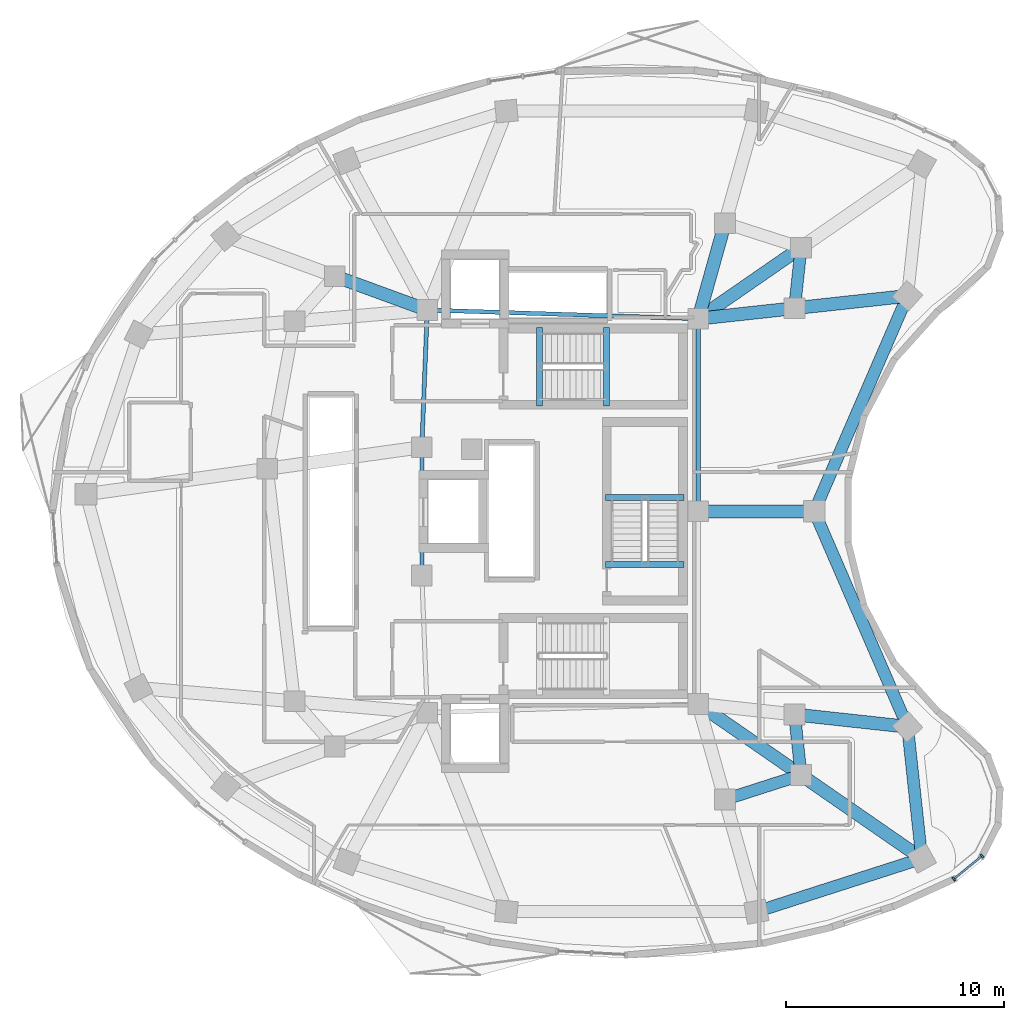
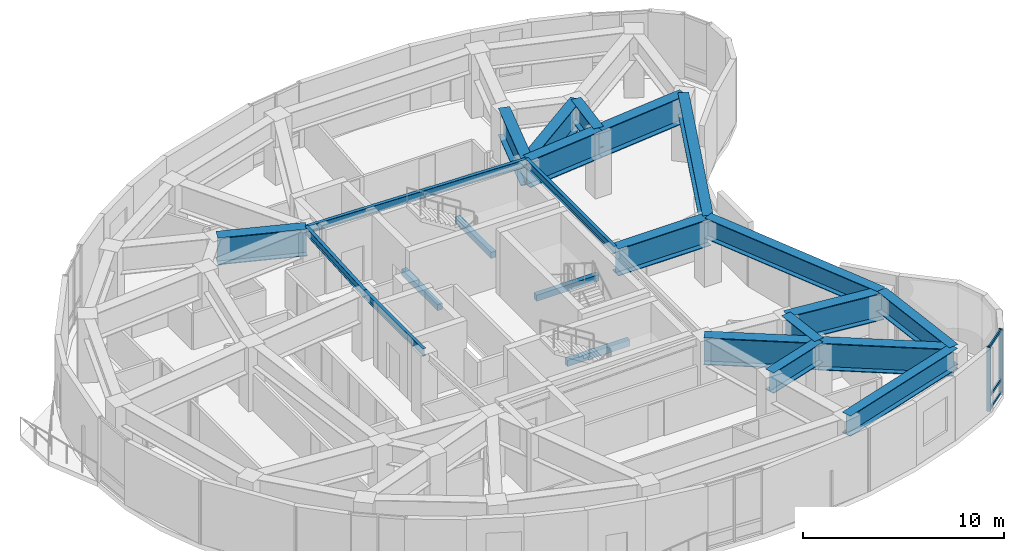
# One storey, part 3 of 12: 24 beams, 5 members, 1 element without a shape of its own.
"""IFC4 building model written with IfcOpenShell, lengths in metres."""

from ifc_helpers import new_model, si_unit, direction, frame, origin, origin_2d, place, context, subcontext, project, spatial, rectangle, i_section, extrude, material, layer, layer_set, material_profile, profile_set, type_object, element, aggregate, save


model = new_model("IFC4")

# Units and contexts
model_context = context("Model", 3, precision=1e-05, world=origin(), true_north=direction((0.0, 1.0)))
body_context = subcontext(model_context, "Body", "Model", "MODEL_VIEW")
ifc_project = project(units=[si_unit("LENGTHUNIT", "METRE"), si_unit("AREAUNIT", "SQUARE_METRE"), si_unit("VOLUMEUNIT", "CUBIC_METRE"), si_unit("PLANEANGLEUNIT", "RADIAN"), si_unit("MASSUNIT", "GRAM", prefix="KILO")], contexts=[model_context])

# Site, building, storey
site_placement = place(None, origin())
site = spatial("IfcSite", under=ifc_project, at=site_placement, CompositionType="ELEMENT")
building_placement = place(site_placement, origin())
building = spatial("IfcBuilding", under=site, at=building_placement, Name="Korentha Bioscience Tower", CompositionType="ELEMENT")
storey_placement = place(building_placement, frame((0.0, 0.0, 196.199951171875)))
storey = spatial("IfcBuildingStorey", under=building, at=storey_placement, Name="L45", CompositionType="ELEMENT", Elevation=196.199951171875)

# Beams
ifc_material_1 = material(Name="Concrete C50", Category="concrete")
ifc_material_profile_1 = material_profile(ifc_material_1, rectangle(XDim=0.280029296875, YDim=0.3798828125, at=origin_2d()), Name="Concrete C50")
ifc_profile_set_1 = profile_set([ifc_material_profile_1], Name="Concrete C50 (ST-HB380)")
beam_type_1 = type_object("IfcBeamType", Name="Concrete Stair Header Beam RC 280x380", PredefinedType="BEAM", material=ifc_profile_set_1)
for number, where, z_axis, x_axis, name in (
    (1, (30.25, 31.85009765625, -0.18994140625), (0.0, 1.0, 0.0), (-1.0, 0.0, 0.0), "L45 ST-1 Concrete Stair Header Beam"),
    (2, (33.330078125, 31.85009765625, 1.91015625), (0.0, 1.0, 0.0), (-1.0, 0.0, 0.0), "L45 ST-1 Half-Landing Header Beam 1"),
    (3, (36.89990234375, 24.550048828125, -0.18994140625), (-1.0, 0.0, 0.0), (0.0, -1.0, 0.0), "L45 ST-3 Concrete Stair Header Beam"),
    (4, (36.89990234375, 27.6298828125, 1.91015625), (-1.0, 0.0, 0.0), (0.0, -1.0, 0.0), "L45 ST-3 Half-Landing Header Beam 1"),
):
    element("IfcBeam", number, at=place(storey_placement, frame(where, z_axis=z_axis, x_axis=x_axis)), inside=storey, type_object=beam_type_1, Name=name, PredefinedType="BEAM", context=body_context, shape_type="SweptSolid", body=[
        extrude(rectangle(XDim=0.280029296875, YDim=0.3798828125, at=origin_2d()), origin(), (0.0, 0.0, 1.0), 3.599853515625),
    ])
ifc_material_2 = material(Name="Steel S355", Category="steel")
ifc_material_profile_2 = material_profile(ifc_material_2, i_section(OverallWidth=0.550048828125, OverallDepth=1.25, WebThickness=0.02392578125, FlangeThickness=0.0400390625, at=origin_2d()), Name="Steel S355")
ifc_profile_set_2 = profile_set([ifc_material_profile_2], Name="Steel S355 (TG-03)")
beam_type_2 = type_object("IfcBeamType", Name="Crown Step Transfer Girder CVS 1250x510", PredefinedType="USERDEFINED", material=ifc_profile_set_2)
beam_1_placement = place(storey_placement, frame((38.77880859375, 13.7587890625, 3.275146484375), z_axis=(0.952000195343, 0.306097415976, 0.0), x_axis=(-0.306097415976, 0.952000195343, 0.0)))
element("IfcBeam", 5, at=beam_1_placement, inside=storey, type_object=beam_type_2, Name="L45 Mid-Ring Tie Girder 12", ObjectType="TRANSFER_GIRDER", PredefinedType="USERDEFINED", context=body_context, shape_type="SweptSolid", body=[
    extrude(i_section(OverallWidth=0.550048828125, OverallDepth=1.25, WebThickness=0.02392578125, FlangeThickness=0.0400390625, at=origin_2d()), origin(), (0.0, 0.0, 1.0), 3.672119140625),
])
for number, where, z_axis, x_axis, name in (
    (6, (42.274658203125, 14.8828125, 3.275146484375), (-0.107283940056, 0.99422842255, 0.0), (-0.99422842255, -0.107283940056, 0.0), "L45 Mid-Ring Tie Girder 13"),
    (7, (41.97412109375, 36.33203125, 3.275146484375), (0.107283940056, 0.99422842255, 0.0), (-0.99422842255, 0.107283940056, 0.0), "L45 Mid-Ring Tie Girder 16"),
):
    element("IfcBeam", number, at=place(storey_placement, frame(where, z_axis=z_axis, x_axis=x_axis)), inside=storey, type_object=beam_type_2, Name=name, ObjectType="TRANSFER_GIRDER", PredefinedType="USERDEFINED", context=body_context, shape_type="SweptSolid", body=[
        extrude(i_section(OverallWidth=0.550048828125, OverallDepth=1.25, WebThickness=0.02392578125, FlangeThickness=0.0400390625, at=origin_2d()), origin(), (0.0, 0.0, 1.0), 2.80126953125),
    ])
beam_2_placement = place(storey_placement, frame((40.22119140625, 8.60400390625, 3.275146484375), z_axis=(0.952008512555, 0.306071547228, 0.0), x_axis=(-0.306071547228, 0.952008512555, 0.0)))
element("IfcBeam", 8, at=beam_2_placement, inside=storey, type_object=beam_type_2, Name="L45 Perimeter Spandrel Girder 12", ObjectType="TRANSFER_GIRDER", PredefinedType="USERDEFINED", context=body_context, shape_type="SweptSolid", body=[
    extrude(i_section(OverallWidth=0.550048828125, OverallDepth=1.25, WebThickness=0.02392578125, FlangeThickness=0.0400390625, at=origin_2d()), origin(), (0.0, 0.0, 1.0), 7.98291015625),
])
beam_3_placement = place(storey_placement, frame((47.821044921875, 11.04736328125, 3.275146484375), z_axis=(-0.10732012232, 0.994224517574, 0.0), x_axis=(-0.994224517574, -0.10732012232, 0.0)))
element("IfcBeam", 9, at=beam_3_placement, inside=storey, type_object=beam_type_2, Name="L45 Perimeter Spandrel Girder 13", ObjectType="TRANSFER_GIRDER", PredefinedType="USERDEFINED", context=body_context, shape_type="SweptSolid", body=[
    extrude(i_section(OverallWidth=0.550048828125, OverallDepth=1.25, WebThickness=0.02392578125, FlangeThickness=0.0400390625, at=origin_2d()), origin(), (0.0, 0.0, 1.0), 6.08984375),
])
for number, where, z_axis, x_axis, name in (
    (10, (47.16748046875, 17.10205078125, 3.275146484375), (-0.397336815315, 0.917672847585, 0.0), (-0.917672847585, -0.397336815315, 0.0), "L45 Perimeter Spandrel Girder 14"),
    (11, (42.8818359375, 27.0, 3.275146484375), (0.397336815315, 0.917672847585, 0.0), (-0.917672847585, 0.397336815315, 0.0), "L45 Perimeter Spandrel Girder 15"),
):
    element("IfcBeam", number, at=place(storey_placement, frame(where, z_axis=z_axis, x_axis=x_axis)), inside=storey, type_object=beam_type_2, Name=name, ObjectType="TRANSFER_GIRDER", PredefinedType="USERDEFINED", context=body_context, shape_type="SweptSolid", body=[
        extrude(i_section(OverallWidth=0.550048828125, OverallDepth=1.25, WebThickness=0.02392578125, FlangeThickness=0.0400390625, at=origin_2d()), origin(), (0.0, 0.0, 1.0), 10.785888671875),
    ])
ifc_material_profile_3 = material_profile(ifc_material_2, i_section(OverallWidth=0.60009765625, OverallDepth=1.64990234375, WebThickness=0.02587890625, FlangeThickness=0.0439453125, at=origin_2d()), Name="Steel S355")
ifc_profile_set_3 = profile_set([ifc_material_profile_3], Name="Steel S355 (TG-04)")
beam_type_3 = type_object("IfcBeamType", Name="Deep Setback Transfer Girder CVS 1650x620", PredefinedType="USERDEFINED", material=ifc_profile_set_3)
beam_4_placement = place(storey_placement, frame((37.550048828125, 35.85009765625, 3.074951171875), z_axis=(0.822501145898, 0.568763452584, 0.0), x_axis=(-0.568763452584, 0.822501145898, 0.0)))
element("IfcBeam", 12, at=beam_4_placement, inside=storey, type_object=beam_type_3, Name="L45 Inner Radial Transfer Girder 01", ObjectType="TRANSFER_GIRDER", PredefinedType="USERDEFINED", context=body_context, shape_type="SweptSolid", body=[
    extrude(i_section(OverallWidth=0.60009765625, OverallDepth=1.64990234375, WebThickness=0.02587890625, FlangeThickness=0.0439453125, at=origin_2d()), origin(), (0.0, 0.0, 1.0), 5.744140625),
])
beam_5_placement = place(storey_placement, frame((37.550048828125, 35.85009765625, 3.074951171875), z_axis=(0.269477001654, 0.963006825303, 0.0), x_axis=(-0.963006825303, 0.269477001654, 0.0)))
element("IfcBeam", 13, at=beam_5_placement, inside=storey, type_object=beam_type_3, Name="L45 Inner Radial Transfer Girder 02", ObjectType="TRANSFER_GIRDER", PredefinedType="USERDEFINED", context=body_context, shape_type="SweptSolid", body=[
    extrude(i_section(OverallWidth=0.60009765625, OverallDepth=1.64990234375, WebThickness=0.02587890625, FlangeThickness=0.0439453125, at=origin_2d()), origin(), (0.0, 0.0, 1.0), 4.559814453125),
])
beam_6_placement = place(storey_placement, frame((25.10009765625, 36.25, 3.074951171875), z_axis=(-0.939113952431, 0.343605856105, 0.0), x_axis=(-0.343605856105, -0.939113952431, 0.0)))
element("IfcBeam", 14, at=beam_6_placement, inside=storey, type_object=beam_type_3, Name="L45 Inner Radial Transfer Girder 05", ObjectType="TRANSFER_GIRDER", PredefinedType="USERDEFINED", context=body_context, shape_type="SweptSolid", body=[
    extrude(i_section(OverallWidth=0.60009765625, OverallDepth=1.64990234375, WebThickness=0.02587890625, FlangeThickness=0.0439453125, at=origin_2d()), origin(), (0.0, 0.0, 1.0), 4.533935546875),
])
beam_7_placement = place(storey_placement, frame((37.550048828125, 18.14990234375, 3.074951171875), z_axis=(0.822501145898, -0.568763452584, 0.0), x_axis=(0.568763452584, 0.822501145898, 0.0)))
element("IfcBeam", 15, at=beam_7_placement, inside=storey, type_object=beam_type_3, Name="L45 Inner Radial Transfer Girder 13", ObjectType="TRANSFER_GIRDER", PredefinedType="USERDEFINED", context=body_context, shape_type="SweptSolid", body=[
    extrude(i_section(OverallWidth=0.60009765625, OverallDepth=1.64990234375, WebThickness=0.02587890625, FlangeThickness=0.0439453125, at=origin_2d()), origin(), (0.0, 0.0, 1.0), 5.744140625),
])
beam_8_placement = place(storey_placement, frame((42.274658203125, 14.8828125, 3.074951171875), z_axis=(0.822494455845, -0.568773127094, 0.0), x_axis=(0.568773127094, 0.822494455845, 0.0)))
element("IfcBeam", 16, at=beam_8_placement, inside=storey, type_object=beam_type_3, Name="L45 Outer Radial Transfer Girder 13", ObjectType="TRANSFER_GIRDER", PredefinedType="USERDEFINED", context=body_context, shape_type="SweptSolid", body=[
    extrude(i_section(OverallWidth=0.60009765625, OverallDepth=1.64990234375, WebThickness=0.02587890625, FlangeThickness=0.0439453125, at=origin_2d()), origin(), (0.0, 0.0, 1.0), 6.743408203125),
])
beam_9_placement = place(storey_placement, frame((41.97412109375, 17.66796875, 3.074951171875), z_axis=(0.994115177281, -0.108328271011, 0.0), x_axis=(0.108328271011, 0.994115177281, 0.0)))
element("IfcBeam", 17, at=beam_9_placement, inside=storey, type_object=beam_type_3, Name="L45 Outer Radial Transfer Girder 14", ObjectType="TRANSFER_GIRDER", PredefinedType="USERDEFINED", context=body_context, shape_type="SweptSolid", body=[
    extrude(i_section(OverallWidth=0.60009765625, OverallDepth=1.64990234375, WebThickness=0.02587890625, FlangeThickness=0.0439453125, at=origin_2d()), origin(), (0.0, 0.0, 1.0), 5.22412109375),
])
beam_10_placement = place(storey_placement, frame((37.550048828125, 27.0, 3.074951171875), z_axis=(1.0, 0.0, 0.0), x_axis=(0.0, 1.0, 0.0)))
element("IfcBeam", 18, at=beam_10_placement, inside=storey, type_object=beam_type_3, Name="L45 Radial Transfer Girder 15", ObjectType="TRANSFER_GIRDER", PredefinedType="USERDEFINED", context=body_context, shape_type="SweptSolid", body=[
    extrude(i_section(OverallWidth=0.60009765625, OverallDepth=1.64990234375, WebThickness=0.02587890625, FlangeThickness=0.0439453125, at=origin_2d()), origin(), (0.0, 0.0, 1.0), 5.331787109375),
])
beam_11_placement = place(storey_placement, frame((37.550048828125, 35.85009765625, 3.074951171875), z_axis=(0.994118939953, 0.108293735857, 0.0), x_axis=(-0.108293735857, 0.994118939953, 0.0)))
element("IfcBeam", 19, at=beam_11_placement, inside=storey, type_object=beam_type_3, Name="L45 Inner Radial Transfer Girder 16", ObjectType="TRANSFER_GIRDER", PredefinedType="USERDEFINED", context=body_context, shape_type="SweptSolid", body=[
    extrude(i_section(OverallWidth=0.60009765625, OverallDepth=1.64990234375, WebThickness=0.02587890625, FlangeThickness=0.0439453125, at=origin_2d()), origin(), (0.0, 0.0, 1.0), 4.4501953125),
])
beam_12_placement = place(storey_placement, frame((41.97412109375, 36.33203125, 3.074951171875), z_axis=(0.994115177281, 0.108328271011, 0.0), x_axis=(-0.108328271011, 0.994115177281, 0.0)))
element("IfcBeam", 20, at=beam_12_placement, inside=storey, type_object=beam_type_3, Name="L45 Outer Radial Transfer Girder 16", ObjectType="TRANSFER_GIRDER", PredefinedType="USERDEFINED", context=body_context, shape_type="SweptSolid", body=[
    extrude(i_section(OverallWidth=0.60009765625, OverallDepth=1.64990234375, WebThickness=0.02587890625, FlangeThickness=0.0439453125, at=origin_2d()), origin(), (0.0, 0.0, 1.0), 5.22412109375),
])
ifc_material_profile_4 = material_profile(ifc_material_2, i_section(OverallWidth=0.18994140625, OverallDepth=0.45703125, WebThickness=0.009033203125, FlangeThickness=0.014404296875, at=origin_2d()), Name="Steel S355")
ifc_profile_set_4 = profile_set([ifc_material_profile_4], Name="Steel S355 (MB-460)")
beam_type_4 = type_object("IfcBeamType", Name="Mid-Ring Tie Girder W460x74", PredefinedType="BEAM", material=ifc_profile_set_4)
beam_13_placement = place(storey_placement, frame((37.550048828125, 35.85009765625, 3.671630859375), z_axis=(-0.999484526071, 0.032104238723, 0.0), x_axis=(-0.032104238723, -0.999484526071, 0.0)))
element("IfcBeam", 21, at=beam_13_placement, inside=storey, type_object=beam_type_4, Name="L45 Core Ring Tie Girder 01", PredefinedType="BEAM", context=body_context, shape_type="SweptSolid", body=[
    extrude(i_section(OverallWidth=0.18994140625, OverallDepth=0.45703125, WebThickness=0.009033203125, FlangeThickness=0.014404296875, at=origin_2d()), origin(), (0.0, 0.0, 1.0), 12.456298828125),
])
beam_14_placement = place(storey_placement, frame((25.10009765625, 36.25, 3.671630859375), z_axis=(-0.039651025576, -0.999213588864, 0.0), x_axis=(0.999213588864, -0.039651025576, 0.0)))
element("IfcBeam", 22, at=beam_14_placement, inside=storey, type_object=beam_type_4, Name="L45 Core Ring Tie Girder 02", PredefinedType="BEAM", context=body_context, shape_type="SweptSolid", body=[
    extrude(i_section(OverallWidth=0.18994140625, OverallDepth=0.45703125, WebThickness=0.009033203125, FlangeThickness=0.014404296875, at=origin_2d()), origin(), (0.0, 0.0, 1.0), 6.304931640625),
])
beam_15_placement = place(storey_placement, frame((24.85009765625, 29.949951171875, 3.671630859375), z_axis=(0.0, -1.0, 0.0), x_axis=(1.0, 0.0, 0.0)))
element("IfcBeam", 23, at=beam_15_placement, inside=storey, type_object=beam_type_4, Name="L45 Core Ring Tie Girder 03", PredefinedType="BEAM", context=body_context, shape_type="SweptSolid", body=[
    extrude(i_section(OverallWidth=0.18994140625, OverallDepth=0.45703125, WebThickness=0.009033203125, FlangeThickness=0.014404296875, at=origin_2d()), origin(), (0.0, 0.0, 1.0), 5.89990234375),
])
beam_16_placement = place(storey_placement, frame((37.550048828125, 27.0, 3.671630859375), z_axis=(0.0, 1.0, 0.0), x_axis=(-1.0, 0.0, 0.0)))
element("IfcBeam", 24, at=beam_16_placement, inside=storey, type_object=beam_type_4, Name="L45 Core Ring Tie Girder 07", PredefinedType="BEAM", context=body_context, shape_type="SweptSolid", body=[
    extrude(i_section(OverallWidth=0.18994140625, OverallDepth=0.45703125, WebThickness=0.009033203125, FlangeThickness=0.014404296875, at=origin_2d()), origin(), (0.0, 0.0, 1.0), 8.85009765625),
])

# Curtain wall, members
ifc_material_3 = material(Name="Thermally Broken Aluminium Frame", Category="aluminium")
ifc_layer = layer(ifc_material_3, 0.219970703125, Name="Thermally Broken Aluminium Frame")
ifc_layer_set = layer_set([ifc_layer], Name="Thermally Broken Aluminium Frame (CW-T1)")
curtain_wall_type = type_object("IfcCurtainWallType", Name="Standard Bioscience Lab Unitised Curtain Wall CW-T1", PredefinedType="USERDEFINED", material=ifc_layer_set)
curtain_wall_placement = place(storey_placement, origin())
curtain_wall = element("IfcCurtainWall", 25, at=curtain_wall_placement, inside=storey, type_object=curtain_wall_type, Name="L45 Curtain Wall 37", ObjectType="UNITISED", PredefinedType="USERDEFINED")
ifc_material_4 = material(Name="Anodised Aluminium 6063-T6", Category="aluminium")
ifc_material_profile_5 = material_profile(ifc_material_4, rectangle(XDim=0.090087890625, YDim=0.199951171875, at=origin_2d()), Name="Anodised Aluminium 6063-T6")
ifc_profile_set_5 = profile_set([ifc_material_profile_5], Name="Anodised Aluminium 6063-T6 (CW-MUL)")
member_type_1 = type_object("IfcMemberType", Name="Mullion RECT 90x200", PredefinedType="MULLION", material=ifc_profile_set_5)
member_1_placement = place(storey_placement, frame((49.28759765625, 10.105224609375, 0.0), z_axis=(0.0, 0.0, 1.0), x_axis=(0.77425646139, 0.632871971251, 0.0)))
member_1 = element("IfcMember", 26, at=member_1_placement, type_object=member_type_1, Name="CW-L45-37 Mullion 1", PredefinedType="MULLION", context=body_context, shape_type="SweptSolid", body=[
    extrude(rectangle(XDim=0.090087890625, YDim=0.199951171875, at=origin_2d()), origin(), (0.0, 0.0, 1.0), 3.900146484375),
])
member_2_placement = place(storey_placement, frame((50.58984375, 11.169677734375, 0.0), z_axis=(0.0, 0.0, 1.0), x_axis=(0.77425646139, 0.632871971251, 0.0)))
member_2 = element("IfcMember", 27, at=member_2_placement, type_object=member_type_1, Name="CW-L45-37 Mullion 2", PredefinedType="MULLION", context=body_context, shape_type="SweptSolid", body=[
    extrude(rectangle(XDim=0.090087890625, YDim=0.199951171875, at=origin_2d()), origin(), (0.0, 0.0, 1.0), 3.900146484375),
])
ifc_material_profile_6 = material_profile(ifc_material_4, rectangle(XDim=0.090087890625, YDim=0.159912109375, at=origin_2d()), Name="Anodised Aluminium 6063-T6")
ifc_profile_set_6 = profile_set([ifc_material_profile_6], Name="Anodised Aluminium 6063-T6 (CW-TRN)")
member_type_2 = type_object("IfcMemberType", Name="Transom RECT 90x160", PredefinedType="USERDEFINED", material=ifc_profile_set_6)
member_3_placement = place(storey_placement, frame((49.322509765625, 10.1337890625, 0.045166015625), z_axis=(0.77427156069, 0.632853498297, 0.0), x_axis=(-0.632853498297, 0.77427156069, 0.0)))
member_3 = element("IfcMember", 28, at=member_3_placement, type_object=member_type_2, Name="CW-L45-37 Bay 1 Transom 1", ObjectType="TRANSOM", PredefinedType="USERDEFINED", context=body_context, shape_type="SweptSolid", body=[
    extrude(rectangle(XDim=0.090087890625, YDim=0.159912109375, at=origin_2d()), origin(), (0.0, 0.0, 1.0), 1.591796875),
])
member_4_placement = place(storey_placement, frame((49.322509765625, 10.1337890625, 0.85009765625), z_axis=(0.77427156069, 0.632853498297, 0.0), x_axis=(-0.632853498297, 0.77427156069, 0.0)))
member_4 = element("IfcMember", 29, at=member_4_placement, type_object=member_type_2, Name="CW-L45-37 Bay 1 Transom 2", ObjectType="TRANSOM", PredefinedType="USERDEFINED", context=body_context, shape_type="SweptSolid", body=[
    extrude(rectangle(XDim=0.090087890625, YDim=0.159912109375, at=origin_2d()), origin(), (0.0, 0.0, 1.0), 1.591796875),
])
member_5_placement = place(storey_placement, frame((49.322509765625, 10.1337890625, 3.85498046875), z_axis=(0.77427156069, 0.632853498297, 0.0), x_axis=(-0.632853498297, 0.77427156069, 0.0)))
member_5 = element("IfcMember", 30, at=member_5_placement, type_object=member_type_2, Name="CW-L45-37 Bay 1 Transom 3", ObjectType="TRANSOM", PredefinedType="USERDEFINED", context=body_context, shape_type="SweptSolid", body=[
    extrude(rectangle(XDim=0.090087890625, YDim=0.159912109375, at=origin_2d()), origin(), (0.0, 0.0, 1.0), 1.591796875),
])
aggregate(curtain_wall, [member_1, member_2, member_3, member_4, member_5])

save(model, "model.ifc")
